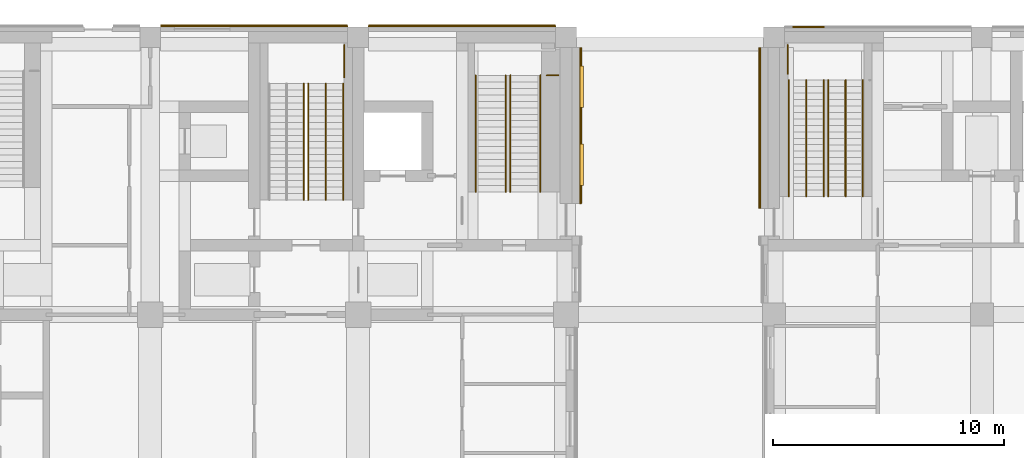
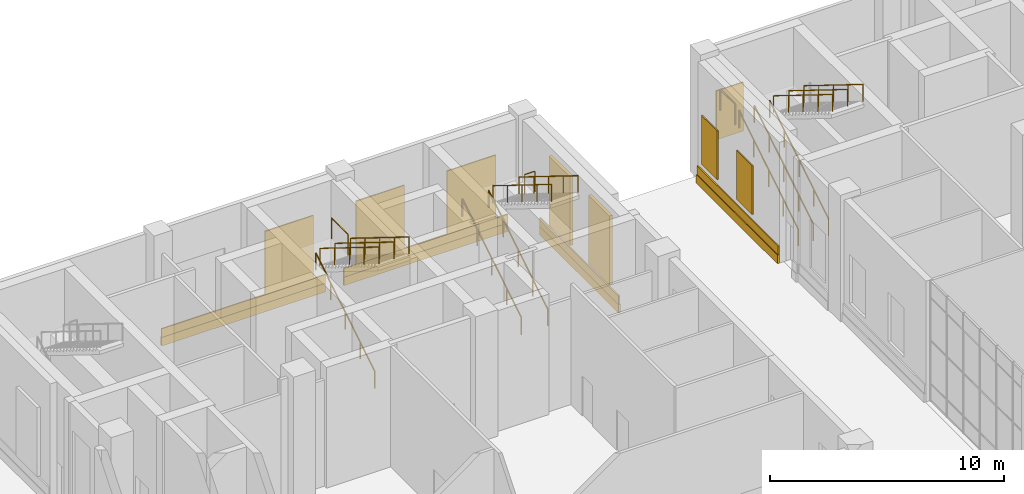
# One storey, part 30 of 35: 17 railings, 16 coverings.
"""IFC4 building model written with IfcOpenShell, lengths in metres."""

from ifc_helpers import new_model, si_unit, direction, frame, origin, origin_2d, place, context, subcontext, project, spatial, rectangle, circle, extrude, material, layer, layer_set, type_object, element, save


model = new_model("IFC4")

# Units and contexts
model_context = context("Model", 3, precision=1e-05, world=origin(), true_north=direction((0.0, 1.0)))
body_context = subcontext(model_context, "Body", "Model", "MODEL_VIEW")
ifc_project = project(units=[si_unit("LENGTHUNIT", "METRE"), si_unit("AREAUNIT", "SQUARE_METRE"), si_unit("VOLUMEUNIT", "CUBIC_METRE"), si_unit("PLANEANGLEUNIT", "RADIAN"), si_unit("MASSUNIT", "GRAM", prefix="KILO")], contexts=[model_context])

# Site, building, storey
site_placement = place(None, origin())
site = spatial("IfcSite", under=ifc_project, at=site_placement, CompositionType="ELEMENT")
building_placement = place(site_placement, origin())
building = spatial("IfcBuilding", under=site, at=building_placement, Name="Aurelan Courthouse", CompositionType="ELEMENT")
storey_placement = place(building_placement, origin())
storey = spatial("IfcBuildingStorey", under=building, at=storey_placement, Name="L00", CompositionType="ELEMENT", Elevation=0.0)

# Coverings
ifc_material_1 = material(Name="Bronze sheet cladding")
ifc_layer_1 = layer(ifc_material_1, 0.06005859375)
ifc_layer_set_1 = layer_set([ifc_layer_1], Name="Bronze sheet cladding")
covering_type_1 = type_object("IfcCoveringType", Name="Courtroom Block blind bay 2400 x 3300", PredefinedType="CLADDING", material=ifc_layer_set_1)
for number, where, z_axis, x_axis, name in (
    (1, (51.75, 66.47998046875, 0.89990234375), (0.0, 0.0, 1.0), (1.0, 0.0, 0.0), "Blind bay BB-V2-L00-001"),
    (2, (56.25, 66.47998046875, 0.89990234375), (0.0, 0.0, 1.0), (1.0, 0.0, 0.0), "Blind bay BB-V2-L00-002"),
    (3, (60.75, 66.47998046875, 0.89990234375), (0.0, 0.0, 1.0), (1.0, 0.0, 0.0), "Blind bay BB-V2-L00-003"),
):
    element("IfcCovering", number, at=place(storey_placement, frame(where, z_axis=z_axis, x_axis=x_axis)), inside=storey, type_object=covering_type_1, Name=name, PredefinedType="CLADDING", context=body_context, shape_type="SweptSolid", body=[
        extrude(rectangle(XDim=2.39990234375, YDim=0.06005859375, at=origin_2d()), origin(), (0.0, 0.0, 1.0), 3.300048828125),
    ])
ifc_material_2 = material(Name="Granite cladding", Category="masonry")
covering_type_2 = type_object("IfcCoveringType", Name="Courtroom Block rusticated plinth course 450 x 100", PredefinedType="CLADDING", material=ifc_material_2)
covering_1_placement = place(storey_placement, frame((63.64990234375, 62.175048828125, 0.0), z_axis=(0.0, 0.0, 1.0), x_axis=(1.0, 0.0, 0.0)))
element("IfcCovering", 4, at=covering_1_placement, inside=storey, type_object=covering_type_2, Name="Plinth course PLC-V2-035", PredefinedType="CLADDING", context=body_context, shape_type="SweptSolid", body=[
    extrude(rectangle(XDim=0.10009765625, YDim=6.75, at=origin_2d()), origin(), (0.0, 0.0, 1.0), 0.449951171875),
])
covering_2_placement = place(storey_placement, frame((63.6298828125, 62.175048828125, 0.4501953125), z_axis=(0.0, 0.0, 1.0), x_axis=(1.0, 0.0, 0.0)))
element("IfcCovering", 5, at=covering_2_placement, inside=storey, type_object=covering_type_2, Name="Plinth course PLC-V2-036", PredefinedType="CLADDING", context=body_context, shape_type="SweptSolid", body=[
    extrude(rectangle(XDim=0.06005859375, YDim=6.75, at=origin_2d()), origin(), (0.0, 0.0, 1.0), 0.449951171875),
])
covering_3_placement = place(storey_placement, frame((49.5, 66.5, 0.0), z_axis=(0.0, 0.0, 1.0), x_axis=(1.0, 0.0, 0.0)))
element("IfcCovering", 6, at=covering_3_placement, inside=storey, type_object=covering_type_2, Name="Plinth course PLC-V2-041", PredefinedType="CLADDING", context=body_context, shape_type="SweptSolid", body=[
    extrude(rectangle(XDim=8.10009765625, YDim=0.10009765625, at=origin_2d()), origin(), (0.0, 0.0, 1.0), 0.449951171875),
])
covering_4_placement = place(storey_placement, frame((49.5, 66.47998046875, 0.4501953125), z_axis=(0.0, 0.0, 1.0), x_axis=(1.0, 0.0, 0.0)))
element("IfcCovering", 7, at=covering_4_placement, inside=storey, type_object=covering_type_2, Name="Plinth course PLC-V2-042", PredefinedType="CLADDING", context=body_context, shape_type="SweptSolid", body=[
    extrude(rectangle(XDim=8.10009765625, YDim=0.06005859375, at=origin_2d()), origin(), (0.0, 0.0, 1.0), 0.449951171875),
])
covering_5_placement = place(storey_placement, frame((58.5, 66.5, 0.0), z_axis=(0.0, 0.0, 1.0), x_axis=(1.0, 0.0, 0.0)))
element("IfcCovering", 8, at=covering_5_placement, inside=storey, type_object=covering_type_2, Name="Plinth course PLC-V2-043", PredefinedType="CLADDING", context=body_context, shape_type="SweptSolid", body=[
    extrude(rectangle(XDim=8.10009765625, YDim=0.10009765625, at=origin_2d()), origin(), (0.0, 0.0, 1.0), 0.449951171875),
])
covering_6_placement = place(storey_placement, frame((58.5, 66.47998046875, 0.4501953125), z_axis=(0.0, 0.0, 1.0), x_axis=(1.0, 0.0, 0.0)))
element("IfcCovering", 9, at=covering_6_placement, inside=storey, type_object=covering_type_2, Name="Plinth course PLC-V2-044", PredefinedType="CLADDING", context=body_context, shape_type="SweptSolid", body=[
    extrude(rectangle(XDim=8.10009765625, YDim=0.06005859375, at=origin_2d()), origin(), (0.0, 0.0, 1.0), 0.449951171875),
])
ifc_layer_2 = layer(ifc_material_1, 0.06005859375)
ifc_layer_set_2 = layer_set([ifc_layer_2], Name="Bronze sheet cladding")
covering_type_3 = type_object("IfcCoveringType", Name="Law Library blind bay 1350 x 2550", PredefinedType="CLADDING", material=ifc_layer_set_2)
covering_7_placement = place(storey_placement, frame((73.5, 66.449951171875, 1.2001953125), z_axis=(0.0, 0.0, 1.0), x_axis=(1.0, 0.0, 0.0)))
element("IfcCovering", 10, at=covering_7_placement, inside=storey, type_object=covering_type_3, Name="Blind bay BB-V3-L00-003", PredefinedType="CLADDING", context=body_context, shape_type="SweptSolid", body=[
    extrude(rectangle(XDim=1.35009765625, YDim=0.06005859375, at=origin_2d()), origin(), (0.0, 0.0, 1.0), 2.550048828125),
])
for number, where, z_axis, x_axis, name in (
    (11, (71.39990234375, 61.5, 1.2001953125), (0.0, 0.0, 1.0), (1.0, 0.0, 0.0), "Blind bay BB-V3-L00-013"),
    (12, (71.39990234375, 64.5, 1.2001953125), (0.0, 0.0, 1.0), (1.0, 0.0, 0.0), "Blind bay BB-V3-L00-014"),
):
    element("IfcCovering", number, at=place(storey_placement, frame(where, z_axis=z_axis, x_axis=x_axis)), inside=storey, type_object=covering_type_3, Name=name, PredefinedType="CLADDING", context=body_context, shape_type="SweptSolid", body=[
        extrude(rectangle(XDim=0.06005859375, YDim=1.35009765625, at=origin_2d()), origin(), (0.0, 0.0, 1.0), 2.550048828125),
    ])
covering_type_4 = type_object("IfcCoveringType", Name="Law Library rusticated plinth course 450 x 100", PredefinedType="CLADDING", material=ifc_material_2)
covering_8_placement = place(storey_placement, frame((71.3798828125, 62.074951171875, 0.0), z_axis=(0.0, 0.0, 1.0), x_axis=(1.0, 0.0, 0.0)))
element("IfcCovering", 13, at=covering_8_placement, inside=storey, type_object=covering_type_4, Name="Plinth course PLC-V3-021", PredefinedType="CLADDING", context=body_context, shape_type="SweptSolid", body=[
    extrude(rectangle(XDim=0.10009765625, YDim=6.949951171875, at=origin_2d()), origin(), (0.0, 0.0, 1.0), 0.449951171875),
])
covering_9_placement = place(storey_placement, frame((71.39990234375, 62.074951171875, 0.4501953125), z_axis=(0.0, 0.0, 1.0), x_axis=(1.0, 0.0, 0.0)))
element("IfcCovering", 14, at=covering_9_placement, inside=storey, type_object=covering_type_4, Name="Plinth course PLC-V3-022", PredefinedType="CLADDING", context=body_context, shape_type="SweptSolid", body=[
    extrude(rectangle(XDim=0.06005859375, YDim=6.949951171875, at=origin_2d()), origin(), (0.0, 0.0, 1.0), 0.449951171875),
])
ifc_layer_3 = layer(ifc_material_1, 0.14990234375)
ifc_layer_set_3 = layer_set([ifc_layer_3], Name="Bronze sheet cladding")
covering_type_5 = type_object("IfcCoveringType", Name="Relief panel 1800 x 3600 x 150", PredefinedType="CLADDING", material=ifc_layer_set_3)
for number, where, z_axis, x_axis, name in (
    (15, (63.675048828125, 60.487548828125, 1.0), (0.0, 0.0, 1.0), (1.0, 0.0, 0.0), "Relief panel RP-V2-004"),
    (16, (63.675048828125, 63.862548828125, 1.0), (0.0, 0.0, 1.0), (1.0, 0.0, 0.0), "Relief panel RP-V2-005"),
):
    element("IfcCovering", number, at=place(storey_placement, frame(where, z_axis=z_axis, x_axis=x_axis)), inside=storey, type_object=covering_type_5, Name=name, PredefinedType="CLADDING", context=body_context, shape_type="SweptSolid", body=[
        extrude(rectangle(XDim=0.14990234375, YDim=1.800048828125, at=origin_2d()), origin(), (0.0, 0.0, 1.0), 3.60009765625),
    ])

# Railings
ifc_material_3 = material(Name="Steel S355", Category="steel")
railing_type_1 = type_object("IfcRailingType", Name="Stair guard 1100", PredefinedType="GUARDRAIL", material=ifc_material_3)
railing_1_placement = place(storey_placement, frame((53.39990234375, 65.669921875, 3.300048828125)))
element("IfcRailing", 17, at=railing_1_placement, inside=storey, type_object=railing_type_1, Name="Guard ST-2A-L00-GL1", PredefinedType="GUARDRAIL", context=body_context, shape_type="SweptSolid", body=[
    extrude(circle(Radius=0.02392578125, at=origin_2d()), frame((0.0, 0.0, 1.076171875), z_axis=(0.0, -1.0, 0.0), x_axis=(1.0, 0.0, 0.0)), (0.0, 0.0, 1.0), 1.39453125),
    extrude(circle(Radius=0.02099609375, at=origin_2d()), origin(), (0.0, 0.0, 1.0), 1.052001953125),
    extrude(circle(Radius=0.02099609375, at=origin_2d()), frame((0.0, -1.39453125, 0.0)), (0.0, 0.0, 1.0), 1.052001953125),
])
railing_2_placement = place(storey_placement, frame((62.669921875, 64.35009765625, 3.300048828125)))
element("IfcRailing", 18, at=railing_2_placement, inside=storey, type_object=railing_type_1, Name="Guard ST-2E-L00-GL1", PredefinedType="GUARDRAIL", context=body_context, shape_type="SweptSolid", body=[
    extrude(circle(Radius=0.02392578125, at=origin_2d()), frame((0.0, 0.0, 1.076171875), z_axis=(-1.0, 0.0, 0.0), x_axis=(0.0, -1.0, 0.0)), (0.0, 0.0, 1.0), 0.5),
    extrude(circle(Radius=0.02099609375, at=origin_2d()), origin(), (0.0, 0.0, 1.0), 1.052001953125),
    extrude(circle(Radius=0.02099609375, at=origin_2d()), frame((-0.5, 0.0, 0.0)), (0.0, 0.0, 1.0), 1.052001953125),
])
railing_3_placement = place(storey_placement, frame((72.60009765625, 64.42529296875, 3.300048828125)))
element("IfcRailing", 19, at=railing_3_placement, inside=storey, type_object=railing_type_1, Name="Guard ST-3A-L00-GL1", PredefinedType="GUARDRAIL", context=body_context, shape_type="SweptSolid", body=[
    extrude(circle(Radius=0.02392578125, at=origin_2d()), frame((0.0, 0.0, 1.076171875), z_axis=(0.0, 1.0, 0.0), x_axis=(-1.0, 0.0, 0.0)), (0.0, 0.0, 1.0), 1.24462890625),
    extrude(circle(Radius=0.02099609375, at=origin_2d()), origin(), (0.0, 0.0, 1.0), 1.052001953125),
    extrude(circle(Radius=0.02099609375, at=origin_2d()), frame((0.0, 1.24462890625, 0.0)), (0.0, 0.0, 1.0), 1.052001953125),
])
railing_type_2 = type_object("IfcRailingType", Name="Stair handrail 900", PredefinedType="HANDRAIL", material=ifc_material_3)
railing_4_placement = place(storey_placement, frame((51.64990234375, 58.9599609375, 0.173583984375)))
element("IfcRailing", 20, at=railing_4_placement, inside=storey, type_object=railing_type_2, Name="Handrail ST-2A-L00-H2", PredefinedType="HANDRAIL", context=body_context, shape_type="SweptSolid", body=[
    extrude(circle(Radius=0.02392578125, at=origin_2d()), frame((0.0, 0.0, 0.8759765625), z_axis=(0.0, 0.849778785312, 0.527139465448), x_axis=(-1.0, 0.0, 0.0)), (0.0, 0.0, 1.0), 5.930908203125),
    extrude(circle(Radius=0.02099609375, at=origin_2d()), origin(), (0.0, 0.0, 1.0), 0.851806640625),
    extrude(circle(Radius=0.02099609375, at=origin_2d()), frame((0.0, 1.260009765625, 0.78173828125)), (0.0, 0.0, 1.0), 0.851806640625),
    extrude(circle(Radius=0.02099609375, at=origin_2d()), frame((0.0, 2.52001953125, 1.563232421875)), (0.0, 0.0, 1.0), 0.851806640625),
    extrude(circle(Radius=0.02099609375, at=origin_2d()), frame((0.0, 3.780029296875, 2.3447265625)), (0.0, 0.0, 1.0), 0.851806640625),
    extrude(circle(Radius=0.02099609375, at=origin_2d()), frame((0.0, 5.0400390625, 3.12646484375)), (0.0, 0.0, 1.0), 0.851806640625),
])
for number, where, name in (
    (21, (51.85009765625, 64.0, 3.4736328125), "Handrail ST-2A-L00-H4"),
    (22, (53.35009765625, 64.0, 3.4736328125), "Handrail ST-2A-L00-H5"),
    (23, (52.60009765625, 64.0, 3.4736328125), "Handrail ST-2A-L00-H6"),
):
    element("IfcRailing", number, at=place(storey_placement, frame(where)), inside=storey, type_object=railing_type_2, Name=name, PredefinedType="HANDRAIL", context=body_context, shape_type="SweptSolid", body=[
        extrude(circle(Radius=0.02392578125, at=origin_2d()), frame((0.0, 0.0, 0.8759765625), z_axis=(0.0, -0.849778785312, 0.527139465448), x_axis=(1.0, 0.0, 0.0)), (0.0, 0.0, 1.0), 5.930908203125),
        extrude(circle(Radius=0.02099609375, at=origin_2d()), origin(), (0.0, 0.0, 1.0), 0.851806640625),
        extrude(circle(Radius=0.02099609375, at=origin_2d()), frame((0.0, -1.260009765625, 0.78173828125)), (0.0, 0.0, 1.0), 0.851806640625),
        extrude(circle(Radius=0.02099609375, at=origin_2d()), frame((0.0, -2.52001953125, 1.563232421875)), (0.0, 0.0, 1.0), 0.851806640625),
        extrude(circle(Radius=0.02099609375, at=origin_2d()), frame((0.0, -3.780029296875, 2.3447265625)), (0.0, 0.0, 1.0), 0.851806640625),
        extrude(circle(Radius=0.02099609375, at=origin_2d()), frame((0.0, -5.0400390625, 3.12646484375)), (0.0, 0.0, 1.0), 0.851806640625),
    ])
for number, where, name in (
    (24, (59.090087890625, 59.31005859375, 0.173583984375), "Handrail ST-2E-L00-H1"),
    (25, (60.389892578125, 59.31005859375, 0.173583984375), "Handrail ST-2E-L00-H2"),
):
    element("IfcRailing", number, at=place(storey_placement, frame(where)), inside=storey, type_object=railing_type_2, Name=name, PredefinedType="HANDRAIL", context=body_context, shape_type="SweptSolid", body=[
        extrude(circle(Radius=0.02392578125, at=origin_2d()), frame((0.0, 0.0, 0.8759765625), z_axis=(0.0, 0.849778785312, 0.527139465448), x_axis=(-1.0, 0.0, 0.0)), (0.0, 0.0, 1.0), 5.930908203125),
        extrude(circle(Radius=0.02099609375, at=origin_2d()), origin(), (0.0, 0.0, 1.0), 0.851806640625),
        extrude(circle(Radius=0.02099609375, at=origin_2d()), frame((0.0, 1.260009765625, 0.78173828125)), (0.0, 0.0, 1.0), 0.851806640625),
        extrude(circle(Radius=0.02099609375, at=origin_2d()), frame((0.0, 2.52001953125, 1.563232421875)), (0.0, 0.0, 1.0), 0.851806640625),
        extrude(circle(Radius=0.02099609375, at=origin_2d()), frame((0.0, 3.780029296875, 2.3447265625)), (0.0, 0.0, 1.0), 0.851806640625),
        extrude(circle(Radius=0.02099609375, at=origin_2d()), frame((0.0, 5.0400390625, 3.12646484375)), (0.0, 0.0, 1.0), 0.851806640625),
    ])
for number, where, name in (
    (26, (60.590087890625, 64.35009765625, 3.4736328125), "Handrail ST-2E-L00-H3"),
    (27, (61.889892578125, 64.35009765625, 3.4736328125), "Handrail ST-2E-L00-H4"),
):
    element("IfcRailing", number, at=place(storey_placement, frame(where)), inside=storey, type_object=railing_type_2, Name=name, PredefinedType="HANDRAIL", context=body_context, shape_type="SweptSolid", body=[
        extrude(circle(Radius=0.02392578125, at=origin_2d()), frame((0.0, 0.0, 0.8759765625), z_axis=(0.0, -0.849778785312, 0.527139465448), x_axis=(1.0, 0.0, 0.0)), (0.0, 0.0, 1.0), 5.930908203125),
        extrude(circle(Radius=0.02099609375, at=origin_2d()), origin(), (0.0, 0.0, 1.0), 0.851806640625),
        extrude(circle(Radius=0.02099609375, at=origin_2d()), frame((0.0, -1.260009765625, 0.78173828125)), (0.0, 0.0, 1.0), 0.851806640625),
        extrude(circle(Radius=0.02099609375, at=origin_2d()), frame((0.0, -2.52001953125, 1.563232421875)), (0.0, 0.0, 1.0), 0.851806640625),
        extrude(circle(Radius=0.02099609375, at=origin_2d()), frame((0.0, -3.780029296875, 2.3447265625)), (0.0, 0.0, 1.0), 0.851806640625),
        extrude(circle(Radius=0.02099609375, at=origin_2d()), frame((0.0, -5.0400390625, 3.12646484375)), (0.0, 0.0, 1.0), 0.851806640625),
    ])
for number, where, name in (
    (28, (72.64990234375, 59.110107421875, 0.173583984375), "Handrail ST-3A-L00-H1"),
    (29, (74.14990234375, 59.110107421875, 0.173583984375), "Handrail ST-3A-L00-H2"),
    (30, (73.39990234375, 59.110107421875, 0.173583984375), "Handrail ST-3A-L00-H3"),
):
    element("IfcRailing", number, at=place(storey_placement, frame(where)), inside=storey, type_object=railing_type_2, Name=name, PredefinedType="HANDRAIL", context=body_context, shape_type="SweptSolid", body=[
        extrude(circle(Radius=0.02392578125, at=origin_2d()), frame((0.0, 0.0, 0.8759765625), z_axis=(0.0, 0.84976734637, 0.527157905227), x_axis=(-1.0, 0.0, 0.0)), (0.0, 0.0, 1.0), 5.930908203125),
        extrude(circle(Radius=0.02099609375, at=origin_2d()), origin(), (0.0, 0.0, 1.0), 0.851806640625),
        extrude(circle(Radius=0.02099609375, at=origin_2d()), frame((0.0, 1.260009765625, 0.78173828125)), (0.0, 0.0, 1.0), 0.851806640625),
        extrude(circle(Radius=0.02099609375, at=origin_2d()), frame((0.0, 2.52001953125, 1.563232421875)), (0.0, 0.0, 1.0), 0.851806640625),
        extrude(circle(Radius=0.02099609375, at=origin_2d()), frame((0.0, 3.77978515625, 2.3447265625)), (0.0, 0.0, 1.0), 0.851806640625),
        extrude(circle(Radius=0.02099609375, at=origin_2d()), frame((0.0, 5.039794921875, 3.12646484375)), (0.0, 0.0, 1.0), 0.851806640625),
    ])
for number, where, name in (
    (31, (74.35009765625, 64.14990234375, 3.4736328125), "Handrail ST-3A-L00-H4"),
    (32, (75.85009765625, 64.14990234375, 3.4736328125), "Handrail ST-3A-L00-H5"),
    (33, (75.10009765625, 64.14990234375, 3.4736328125), "Handrail ST-3A-L00-H6"),
):
    element("IfcRailing", number, at=place(storey_placement, frame(where)), inside=storey, type_object=railing_type_2, Name=name, PredefinedType="HANDRAIL", context=body_context, shape_type="SweptSolid", body=[
        extrude(circle(Radius=0.02392578125, at=origin_2d()), frame((0.0, 0.0, 0.8759765625), z_axis=(0.0, -0.84976734637, 0.527157905227), x_axis=(1.0, 0.0, 0.0)), (0.0, 0.0, 1.0), 5.930908203125),
        extrude(circle(Radius=0.02099609375, at=origin_2d()), origin(), (0.0, 0.0, 1.0), 0.851806640625),
        extrude(circle(Radius=0.02099609375, at=origin_2d()), frame((0.0, -1.260009765625, 0.78173828125)), (0.0, 0.0, 1.0), 0.851806640625),
        extrude(circle(Radius=0.02099609375, at=origin_2d()), frame((0.0, -2.52001953125, 1.563232421875)), (0.0, 0.0, 1.0), 0.851806640625),
        extrude(circle(Radius=0.02099609375, at=origin_2d()), frame((0.0, -3.77978515625, 2.3447265625)), (0.0, 0.0, 1.0), 0.851806640625),
        extrude(circle(Radius=0.02099609375, at=origin_2d()), frame((0.0, -5.039794921875, 3.12646484375)), (0.0, 0.0, 1.0), 0.851806640625),
    ])

save(model, "model.ifc")
